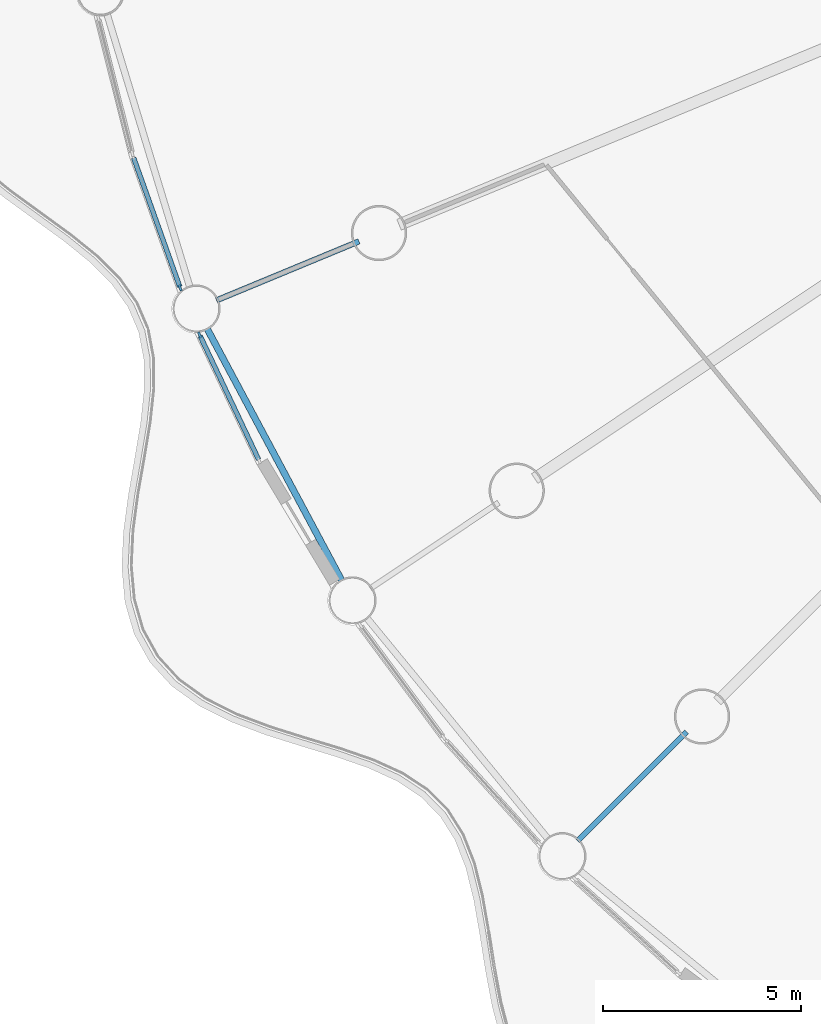
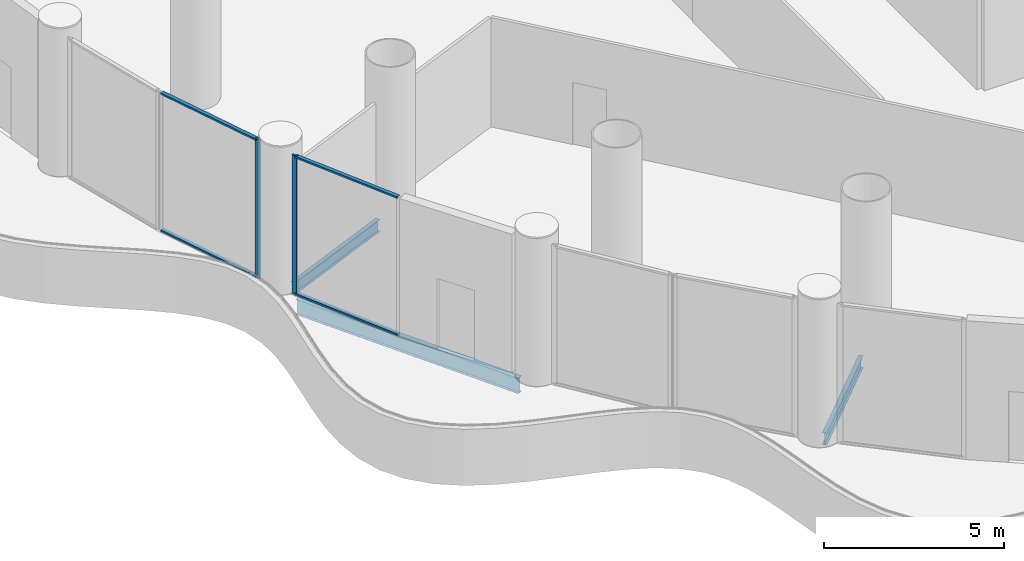
# One storey, part 3 of 38: 6 members, 3 beams, 2 elements without a shape of their own.
"""IFC4 building model written with IfcOpenShell, lengths in metres."""

from ifc_helpers import new_model, si_unit, direction, frame, origin, origin_2d, place, context, subcontext, project, spatial, rectangle, i_section, extrude, material, material_profile, profile_set, type_object, element, aggregate, save


model = new_model("IFC4")

# Units and contexts
model_context = context("Model", 3, precision=1e-05, world=origin(), true_north=direction((0.0, 1.0)))
body_context = subcontext(model_context, "Body", "Model", "MODEL_VIEW")
ifc_project = project(units=[si_unit("LENGTHUNIT", "METRE"), si_unit("AREAUNIT", "SQUARE_METRE"), si_unit("VOLUMEUNIT", "CUBIC_METRE"), si_unit("PLANEANGLEUNIT", "RADIAN"), si_unit("MASSUNIT", "GRAM", prefix="KILO")], contexts=[model_context])

# Site, building, storey
site_placement = place(None, origin())
site = spatial("IfcSite", under=ifc_project, at=site_placement, CompositionType="ELEMENT")
building_placement = place(site_placement, origin())
building = spatial("IfcBuilding", under=site, at=building_placement, Name="Corvane Civic Tower", CompositionType="ELEMENT")
storey_placement = place(building_placement, frame((0.0, 0.0, 32.0)))
storey = spatial("IfcBuildingStorey", under=building, at=storey_placement, Name="L06", CompositionType="ELEMENT", Elevation=32.0)

# Beams
ifc_material_1 = material(Name="Steel ASTM A992 Gr 50", Category="steel")
ifc_material_profile_1 = material_profile(ifc_material_1, i_section(OverallWidth=0.165771484375, OverallDepth=0.5283203125, WebThickness=0.009765625, FlangeThickness=0.013671875, at=origin_2d()), Name="W21X50")
ifc_profile_set_1 = profile_set([ifc_material_profile_1], Name="Steel ASTM A992 Gr 50")
beam_type_1 = type_object("IfcBeamType", Name="EDGE BEAM W21X50", PredefinedType="BEAM", material=ifc_profile_set_1)
beam_placement = place(storey_placement, frame((-35.762939453125, -23.23779296875, -0.564208984375), z_axis=(-0.471412394598, 0.881912894916, 0.0), x_axis=(-0.881912894916, -0.471412394598, 0.0)))
element("IfcBeam", 1, at=beam_placement, inside=storey, type_object=beam_type_1, Name="BM-L06-E22", PredefinedType="BEAM", context=body_context, shape_type="SweptSolid", body=[
    extrude(i_section(OverallWidth=0.165771484375, OverallDepth=0.5283203125, WebThickness=0.009765625, FlangeThickness=0.013671875, at=origin_2d()), origin(), (0.0, 0.0, 1.0), 7.270751953125),
])
ifc_material_2 = material(Name="Steel ASTM A992 Gr 50", Category="steel")
ifc_material_profile_2 = material_profile(ifc_material_2, i_section(OverallWidth=0.140380859375, OverallDepth=0.40380859375, WebThickness=0.007080078125, FlangeThickness=0.01123046875, at=origin_2d()), Name="W16X31")
ifc_profile_set_2 = profile_set([ifc_material_profile_2], Name="Steel ASTM A992 Gr 50")
beam_type_2 = type_object("IfcBeamType", Name="FLOOR GIRDER W16X31", PredefinedType="BEAM", material=ifc_profile_set_2)
for number, where, z_axis, x_axis, name in (
    (2, (-27.046875, -27.046875, -0.501953125), (-0.707106781187, -0.707106781187, 0.0), (0.707106781187, -0.707106781187, 0.0), "BM-L06-G21b"),
    (3, (-35.33837890625, -14.6376953125, -0.501953125), (-0.923878730261, -0.382685369162, 0.0), (0.382685369162, -0.923878730261, 0.0), "BM-L06-G23b"),
):
    element("IfcBeam", number, at=place(storey_placement, frame(where, z_axis=z_axis, x_axis=x_axis)), inside=storey, type_object=beam_type_2, Name=name, PredefinedType="BEAM", context=body_context, shape_type="SweptSolid", body=[
        extrude(i_section(OverallWidth=0.140380859375, OverallDepth=0.40380859375, WebThickness=0.007080078125, FlangeThickness=0.01123046875, at=origin_2d()), origin(), (0.0, 0.0, 1.0), 3.89990234375),
    ])

# Curtain wall, member
ifc_material_3 = material(Name="Aluminium and glass", Category="aluminium")
curtain_wall_type = type_object("IfcCurtainWallType", Name="PODIUM-CW-P-RUN", PredefinedType="NOTDEFINED", material=ifc_material_3)
curtain_wall_1_placement = place(storey_placement, origin())
curtain_wall_1 = element("IfcCurtainWall", 4, at=curtain_wall_1_placement, inside=storey, type_object=curtain_wall_type, Name="PODI run L06-drum-22B", PredefinedType="NOTDEFINED")
ifc_material_4 = material(Name="Anodised aluminium bronze", Category="aluminium")
ifc_material_profile_3 = material_profile(ifc_material_4, rectangle(XDim=0.06005859375, YDim=0.159912109375, at=origin_2d()), Name="AL 60x160")
ifc_profile_set_3 = profile_set([ifc_material_profile_3], Name="Anodised aluminium bronze")
member_type_1 = type_object("IfcMemberType", Name="PODIUM-CWP-MULLION-60x160", PredefinedType="MULLION", material=ifc_profile_set_3)
member_1_placement = place(storey_placement, frame((-39.36767578125, -17.00439453125, 0.0), z_axis=(0.0, 0.0, 1.0), x_axis=(-0.903990222454, -0.42755312852, 0.0)))
member_1 = element("IfcMember", 5, at=member_1_placement, type_object=member_type_1, Name="CW-P mullion 2", PredefinedType="MULLION", context=body_context, shape_type="SweptSolid", body=[
    extrude(rectangle(XDim=0.06005859375, YDim=0.159912109375, at=origin_2d()), origin(), (0.0, 0.0, 1.0), 4.699951171875),
])

curtain_wall_2_placement = place(storey_placement, origin())
curtain_wall_2 = element("IfcCurtainWall", 6, at=curtain_wall_2_placement, inside=storey, type_object=curtain_wall_type, Name="PODI run L06-drum-23A", PredefinedType="NOTDEFINED")
member_2_placement = place(storey_placement, frame((-39.861083984375, -15.81298828125, 0.0), z_axis=(0.0, 0.0, 1.0), x_axis=(-0.941533802561, -0.336918534123, 0.0)))
member_2 = element("IfcMember", 7, at=member_2_placement, type_object=member_type_1, Name="CW-P mullion 1", PredefinedType="MULLION", context=body_context, shape_type="SweptSolid", body=[
    extrude(rectangle(XDim=0.06005859375, YDim=0.159912109375, at=origin_2d()), origin(), (0.0, 0.0, 1.0), 4.699951171875),
])

# Member
ifc_material_5 = material(Name="Anodised aluminium bronze", Category="aluminium")
ifc_material_profile_4 = material_profile(ifc_material_5, rectangle(XDim=0.1201171875, YDim=0.06005859375, at=origin_2d()), Name="AL 120x60")
ifc_profile_set_4 = profile_set([ifc_material_profile_4], Name="Anodised aluminium bronze")
member_type_2 = type_object("IfcMemberType", Name="PODIUM-CWP-TRANSOM-60x120", PredefinedType="USERDEFINED", material=ifc_profile_set_4)
member_3_placement = place(storey_placement, frame((-37.87548828125, -20.1591796875, 0.030029296875), z_axis=(-0.427546343166, 0.903993431638, 0.0), x_axis=(-0.903993431638, -0.427546343166, 0.0)))
member_3 = element("IfcMember", 8, at=member_3_placement, type_object=member_type_2, Name="CW-P transom 1.1", ObjectType="TRANSOM", PredefinedType="USERDEFINED", context=body_context, shape_type="SweptSolid", body=[
    extrude(rectangle(XDim=0.1201171875, YDim=0.06005859375, at=origin_2d()), origin(), (0.0, 0.0, 1.0), 3.4599609375),
])

member_4_placement = place(storey_placement, frame((-37.87548828125, -20.1591796875, 4.669921875), z_axis=(-0.427546343166, 0.903993431638, 0.0), x_axis=(-0.903993431638, -0.427546343166, 0.0)))
member_4 = element("IfcMember", 9, at=member_4_placement, type_object=member_type_2, Name="CW-P transom 1.2", ObjectType="TRANSOM", PredefinedType="USERDEFINED", context=body_context, shape_type="SweptSolid", body=[
    extrude(rectangle(XDim=0.1201171875, YDim=0.06005859375, at=origin_2d()), origin(), (0.0, 0.0, 1.0), 3.4599609375),
])

aggregate(curtain_wall_1, [member_1, member_3, member_4])

member_5_placement = place(storey_placement, frame((-39.87109375, -15.78466796875, 0.030029296875), z_axis=(-0.336939787896, 0.941526196838, 0.0), x_axis=(-0.941526196838, -0.336939787896, 0.0)))
member_5 = element("IfcMember", 10, at=member_5_placement, type_object=member_type_2, Name="CW-P transom 1.1", ObjectType="TRANSOM", PredefinedType="USERDEFINED", context=body_context, shape_type="SweptSolid", body=[
    extrude(rectangle(XDim=0.1201171875, YDim=0.06005859375, at=origin_2d()), origin(), (0.0, 0.0, 1.0), 3.4599609375),
])

member_6_placement = place(storey_placement, frame((-39.87109375, -15.78466796875, 4.669921875), z_axis=(-0.336939787896, 0.941526196838, 0.0), x_axis=(-0.941526196838, -0.336939787896, 0.0)))
member_6 = element("IfcMember", 11, at=member_6_placement, type_object=member_type_2, Name="CW-P transom 1.2", ObjectType="TRANSOM", PredefinedType="USERDEFINED", context=body_context, shape_type="SweptSolid", body=[
    extrude(rectangle(XDim=0.1201171875, YDim=0.06005859375, at=origin_2d()), origin(), (0.0, 0.0, 1.0), 3.4599609375),
])

aggregate(curtain_wall_2, [member_2, member_5, member_6])

save(model, "model.ifc")
